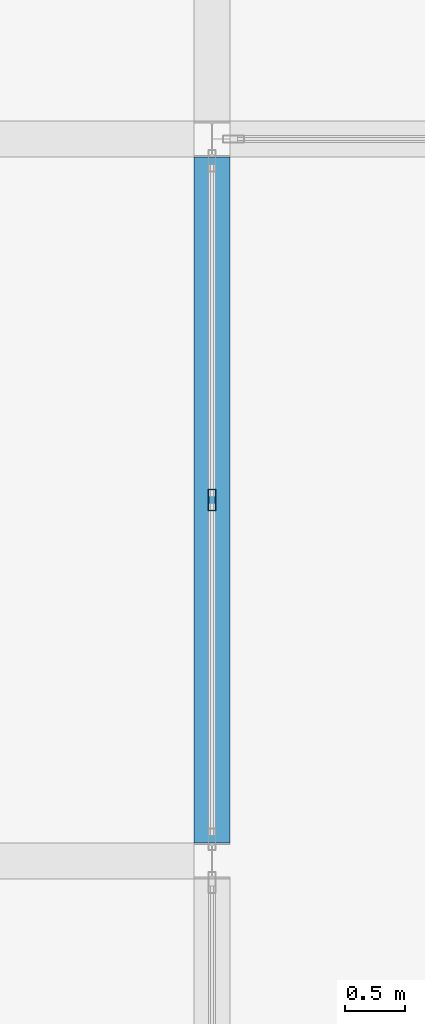
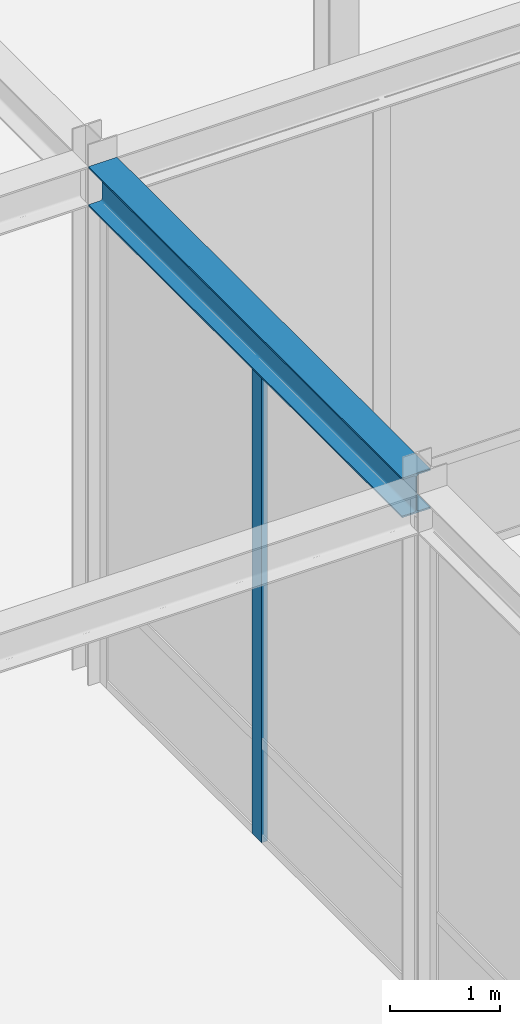
# One storey, part 45 of 108: 1 beam, 1 member, 1 element without a shape of its own.
"""IFC4 building model written with IfcOpenShell, lengths in metres."""

from ifc_helpers import new_model, si_unit, direction, frame, origin, origin_2d, place, context, subcontext, project, spatial, hollow_rectangle, i_section, extrude, material, layer, layer_set, material_profile, profile_set, type_object, element, aggregate, save


model = new_model("IFC4")

# Units and contexts
model_context = context("Model", 3, precision=1e-05, world=origin(), true_north=direction((0.0, 1.0)))
body_context = subcontext(model_context, "Body", "Model", "MODEL_VIEW")
ifc_project = project(units=[si_unit("LENGTHUNIT", "METRE"), si_unit("AREAUNIT", "SQUARE_METRE"), si_unit("VOLUMEUNIT", "CUBIC_METRE"), si_unit("PLANEANGLEUNIT", "RADIAN"), si_unit("MASSUNIT", "GRAM", prefix="KILO")], contexts=[model_context])

# Site, building, storey
site_placement = place(None, origin())
site = spatial("IfcSite", under=ifc_project, at=site_placement, CompositionType="ELEMENT")
building_placement = place(site_placement, origin())
building = spatial("IfcBuilding", under=site, at=building_placement, Name="Zlatovratsky Civic Hall", CompositionType="ELEMENT")
storey_placement = place(building_placement, frame((0.0, 0.0, 6.0)))
storey = spatial("IfcBuildingStorey", under=building, at=storey_placement, Name="L02", CompositionType="ELEMENT", Elevation=6.0)

# Beam
ifc_material_1 = material(Name="Steel S355", Category="steel")
ifc_material_profile_1 = material_profile(ifc_material_1, i_section(OverallWidth=0.300048828125, OverallDepth=0.43994140625, WebThickness=0.010986328125, FlangeThickness=0.01806640625, FilletRadius=0.02197265625, at=origin_2d()), Name="45Sh1")
ifc_profile_set_1 = profile_set([ifc_material_profile_1], Name="Steel S355")
beam_type = type_object("IfcBeamType", Name="Beam_TowerLow_45Sh1", PredefinedType="BEAM", material=ifc_profile_set_1)
beam_placement = place(storey_placement, frame((18.0, 60.14990234375, 5.5400390625), z_axis=(0.0, 1.0, 0.0), x_axis=(-1.0, 0.0, 0.0)))
element("IfcBeam", 1, at=beam_placement, inside=storey, type_object=beam_type, Name="BM-2099", PredefinedType="BEAM", context=body_context, shape_type="SweptSolid", body=[
    extrude(i_section(OverallWidth=0.300048828125, OverallDepth=0.43994140625, WebThickness=0.010986328125, FlangeThickness=0.01806640625, FilletRadius=0.02197265625, at=origin_2d()), origin(), (0.0, 0.0, 1.0), 5.7001953125),
])

# Curtain wall, member
ifc_material_2 = material(Name="Anodised bronze aluminium", Category="aluminium")
ifc_layer = layer(ifc_material_2, 0.159912109375)
ifc_layer_set = layer_set([ifc_layer], Name="Anodised bronze aluminium")
curtain_wall_type = type_object("IfcCurtainWallType", Name="CurtainWall_Bronze_5700x5310_06", PredefinedType="NOTDEFINED", material=ifc_layer_set)
curtain_wall_placement = place(storey_placement, origin())
curtain_wall = element("IfcCurtainWall", 2, at=curtain_wall_placement, inside=storey, type_object=curtain_wall_type, Name="CW-020", PredefinedType="NOTDEFINED")
ifc_material_profile_2 = material_profile(ifc_material_2, hollow_rectangle(XDim=0.06005859375, YDim=0.179931640625, WallThickness=0.00390625, at=origin_2d()), Name="ALU 60x180x4")
ifc_profile_set_2 = profile_set([ifc_material_profile_2], Name="Anodised bronze aluminium")
member_type = type_object("IfcMemberType", Name="CW_Mullion_60x180", PredefinedType="MULLION", material=ifc_profile_set_2)
member_placement = place(storey_placement, frame((18.0, 63.0, 0.0), z_axis=(0.0, 0.0, 1.0), x_axis=(-1.0, 0.0, 0.0)))
member = element("IfcMember", 3, at=member_placement, type_object=member_type, Name="CW-06 mullion 2", PredefinedType="MULLION", context=body_context, shape_type="SweptSolid", body=[
    extrude(hollow_rectangle(XDim=0.06005859375, YDim=0.179931640625, WallThickness=0.00390625, at=origin_2d()), origin(), (0.0, 0.0, 1.0), 5.31005859375),
])
aggregate(curtain_wall, [member])

save(model, "model.ifc")
